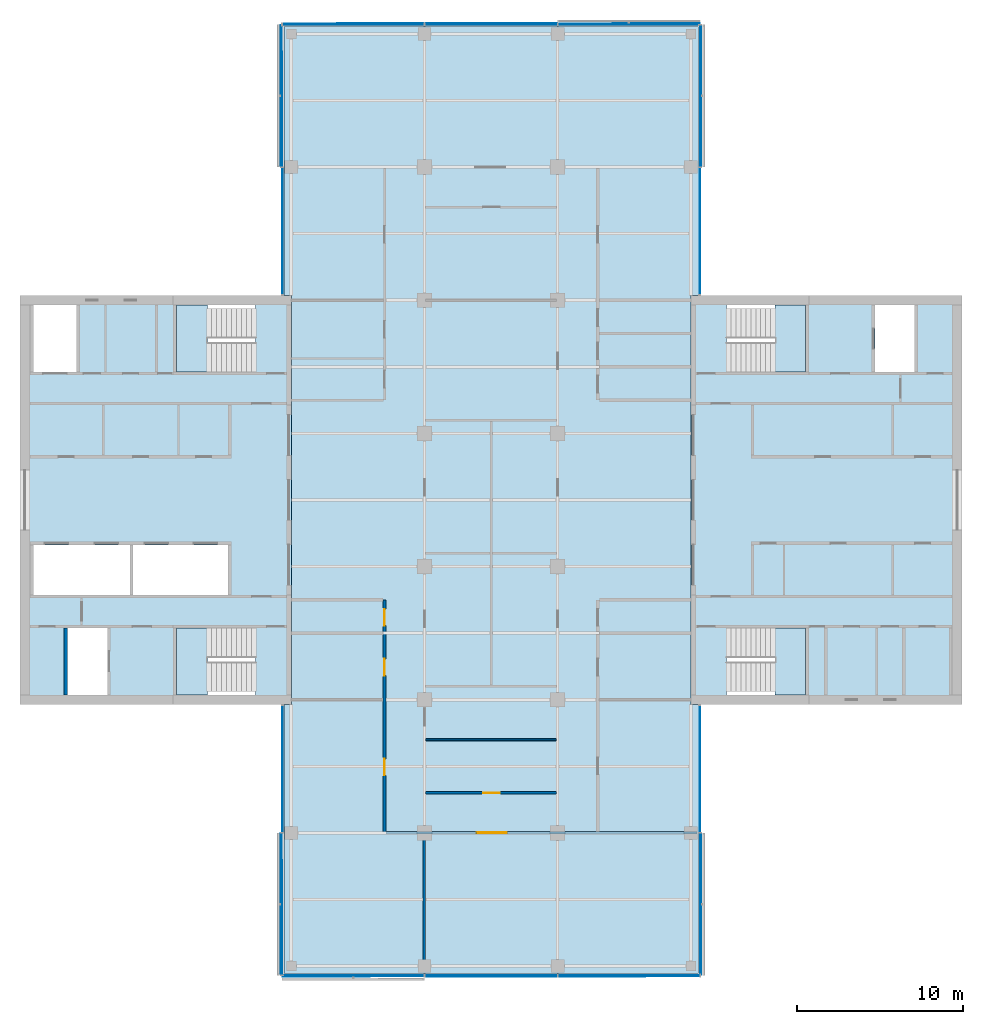
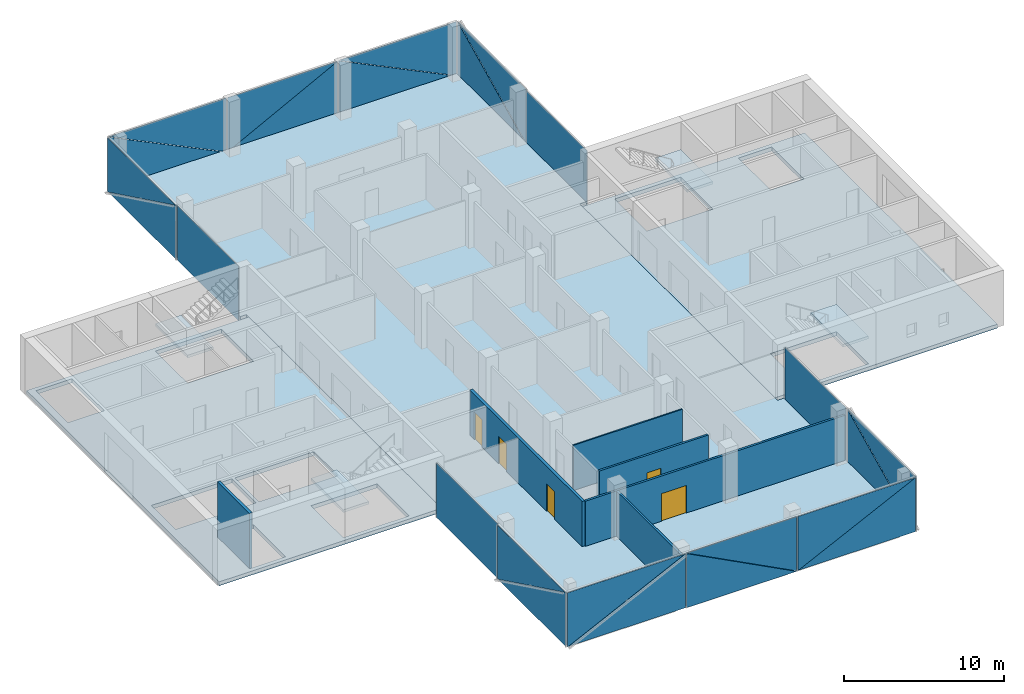
# One storey, part 8 of 16: 24 plates, 7 slabs, 6 walls, 5 doors, 5 openings, 14 elements without a shape of their own.
"""IFC4 building model written with IfcOpenShell, lengths in metres."""

from ifc_helpers import new_model, si_unit, direction, frame, frame_2d, origin, place, context, subcontext, project, spatial, polyline, rectangle, outline, extrude, material, layer, layer_set, type_object, element, fill, aggregate, save


model = new_model("IFC4")

# Units and contexts
model_context = context("Model", 3, precision=1e-05, world=origin(), true_north=direction((0.0, 1.0)))
body_context = subcontext(model_context, "Body", "Model", "MODEL_VIEW")
ifc_project = project(units=[si_unit("LENGTHUNIT", "METRE"), si_unit("AREAUNIT", "SQUARE_METRE"), si_unit("VOLUMEUNIT", "CUBIC_METRE"), si_unit("PLANEANGLEUNIT", "RADIAN"), si_unit("MASSUNIT", "GRAM", prefix="KILO")], contexts=[model_context])

# Site, building, storey
site_placement = place(None, origin())
site = spatial("IfcSite", under=ifc_project, at=site_placement, CompositionType="ELEMENT")
building_placement = place(site_placement, origin())
building = spatial("IfcBuilding", under=site, at=building_placement, Name="Crosswind Convention Tower", CompositionType="ELEMENT")
storey_placement = place(building_placement, frame((0.0, 0.0, 212.5)))
storey = spatial("IfcBuildingStorey", under=building, at=storey_placement, Name="L45", CompositionType="ELEMENT", Elevation=212.5)

# Slabs
ifc_material_1 = material(Name="Concrete C40/50", Category="concrete")
ifc_layer_1 = layer(ifc_material_1, 0.300048828125)
ifc_layer_set_1 = layer_set([ifc_layer_1], Name="Concrete C40/50")
slab_type_1 = type_object("IfcSlabType", Name="Composite floor slab 300", PredefinedType="FLOOR", material=ifc_layer_set_1)
slab_1_placement = place(storey_placement, frame((0.0, 0.0, -0.300048828125)))
element("IfcSlab", 1, at=slab_1_placement, inside=storey, type_object=slab_type_1, Name="Floor slab L45", PredefinedType="FLOOR", context=body_context, shape_type="SweptSolid", body=[
    extrude(outline(polyline([(137.449951171875, 71.550048828125), (137.0, 71.550048828125), (113.0, 71.550048828125), (112.550048828125, 71.550048828125), (112.550048828125, 72.0), (112.550048828125, 87.699951171875), (113.0, 87.699951171875), (113.0, 112.300048828125), (112.550048828125, 112.300048828125), (112.550048828125, 128.0), (112.550048828125, 128.449951171875), (113.0, 128.449951171875), (137.0, 128.449951171875), (137.449951171875, 128.449951171875), (137.449951171875, 128.0), (137.449951171875, 112.300048828125), (137.0, 112.300048828125), (137.0, 87.699951171875), (137.449951171875, 87.699951171875), (137.449951171875, 72.0), (137.449951171875, 71.550048828125)])), origin(), (0.0, 0.0, 1.0), 0.300048828125),
])
ifc_layer_2 = layer(ifc_material_1, 0.300048828125)
ifc_layer_set_2 = layer_set([ifc_layer_2], Name="Concrete C40/50")
slab_type_2 = type_object("IfcSlabType", Name="Concrete core floor slab 300", PredefinedType="FLOOR", material=ifc_layer_set_2)
slab_2_placement = place(storey_placement, frame((0.0, 0.0, -0.300048828125)))
element("IfcSlab", 2, at=slab_2_placement, inside=storey, type_object=slab_type_2, Name="Core floor slab E L45", PredefinedType="FLOOR", context=body_context, shape_type="SweptSolid", body=[
    extrude(outline(polyline([(137.0, 88.0), (153.0, 88.0), (153.0, 112.0), (137.0, 112.0), (137.0, 88.0)]), holes=[polyline([(150.449951171875, 107.699951171875), (150.449951171875, 111.699951171875), (148.050048828125, 111.699951171875), (148.050048828125, 107.699951171875), (150.449951171875, 107.699951171875)]), polyline([(143.89990234375, 107.699951171875), (143.89990234375, 111.699951171875), (139.14990234375, 111.699951171875), (139.14990234375, 107.699951171875), (143.89990234375, 107.699951171875)]), polyline([(143.89990234375, 88.300048828125), (143.89990234375, 92.300048828125), (139.14990234375, 92.300048828125), (139.14990234375, 88.300048828125), (143.89990234375, 88.300048828125)])]), origin(), (0.0, 0.0, 1.0), 0.300048828125),
])
slab_3_placement = place(storey_placement, frame((0.0, 0.0, -0.300048828125)))
element("IfcSlab", 3, at=slab_3_placement, inside=storey, type_object=slab_type_2, Name="Core floor slab W L45", PredefinedType="FLOOR", context=body_context, shape_type="SweptSolid", body=[
    extrude(outline(polyline([(97.0, 88.0), (113.0, 88.0), (113.0, 112.0), (97.0, 112.0), (97.0, 88.0)]), holes=[polyline([(109.199951171875, 94.300048828125), (109.199951171875, 97.300048828125), (103.5, 97.300048828125), (103.5, 94.300048828125), (109.199951171875, 94.300048828125)]), polyline([(103.300048828125, 94.300048828125), (103.300048828125, 97.300048828125), (97.5, 97.300048828125), (97.5, 94.300048828125), (103.300048828125, 94.300048828125)]), polyline([(101.949951171875, 88.300048828125), (101.949951171875, 92.300048828125), (99.550048828125, 92.300048828125), (99.550048828125, 88.300048828125), (101.949951171875, 88.300048828125)]), polyline([(100.10009765625, 107.699951171875), (100.10009765625, 111.699951171875), (97.5, 111.699951171875), (97.5, 107.699951171875), (100.10009765625, 107.699951171875)]), polyline([(110.85009765625, 88.300048828125), (110.85009765625, 92.300048828125), (106.10009765625, 92.300048828125), (106.10009765625, 88.300048828125), (110.85009765625, 88.300048828125)]), polyline([(110.85009765625, 107.699951171875), (110.85009765625, 111.699951171875), (106.10009765625, 111.699951171875), (106.10009765625, 107.699951171875), (110.85009765625, 107.699951171875)])]), origin(), (0.0, 0.0, 1.0), 0.300048828125),
])

# Stair, slab
stair_type = type_object("IfcStairType", Name="Exit stair 1800 wide, 2 flights of 11 risers", PredefinedType="HALF_TURN_STAIR", material=ifc_material_1)
stair_1_placement = place(storey_placement, origin())
stair_1 = element("IfcStair", 4, at=stair_1_placement, inside=storey, type_object=stair_type, Name="Exit stair ST1 L45", ObjectType="ST5", PredefinedType="HALF_TURN_STAIR")
ifc_layer_3 = layer(ifc_material_1, 0.199951171875)
ifc_layer_set_3 = layer_set([ifc_layer_3], Name="Concrete C40/50")
slab_type_3 = type_object("IfcSlabType", Name="Stair landing 200", PredefinedType="LANDING", material=ifc_layer_set_3)
slab_4_placement = place(storey_placement, frame((0.0, 0.0, 1.89990234375)))
slab_4 = element("IfcSlab", 5, at=slab_4_placement, type_object=slab_type_3, Name="ST1 landing 1", PredefinedType="LANDING", context=body_context, shape_type="SweptSolid", body=[
    extrude(outline(polyline([(143.89990234375, 107.699951171875), (143.89990234375, 111.699951171875), (142.050048828125, 111.699951171875), (142.050048828125, 107.699951171875), (143.89990234375, 107.699951171875)])), origin(), (0.0, 0.0, 1.0), 0.2001953125),
])
aggregate(stair_1, [slab_4])

stair_2_placement = place(storey_placement, origin())
stair_2 = element("IfcStair", 6, at=stair_2_placement, inside=storey, type_object=stair_type, Name="Exit stair ST2 L45", ObjectType="ST5", PredefinedType="HALF_TURN_STAIR")
slab_5_placement = place(storey_placement, frame((0.0, 0.0, 1.89990234375)))
slab_5 = element("IfcSlab", 7, at=slab_5_placement, type_object=slab_type_3, Name="ST2 landing 1", PredefinedType="LANDING", context=body_context, shape_type="SweptSolid", body=[
    extrude(outline(polyline([(143.89990234375, 88.300048828125), (143.89990234375, 92.300048828125), (142.050048828125, 92.300048828125), (142.050048828125, 88.300048828125), (143.89990234375, 88.300048828125)])), origin(), (0.0, 0.0, 1.0), 0.2001953125),
])
aggregate(stair_2, [slab_5])

stair_3_placement = place(storey_placement, origin())
stair_3 = element("IfcStair", 8, at=stair_3_placement, inside=storey, type_object=stair_type, Name="Exit stair ST3 L45", ObjectType="ST5", PredefinedType="HALF_TURN_STAIR")
slab_6_placement = place(storey_placement, frame((0.0, 0.0, 1.89990234375)))
slab_6 = element("IfcSlab", 9, at=slab_6_placement, type_object=slab_type_3, Name="ST3 landing 1", PredefinedType="LANDING", context=body_context, shape_type="SweptSolid", body=[
    extrude(outline(polyline([(107.949951171875, 88.300048828125), (107.949951171875, 92.300048828125), (106.10009765625, 92.300048828125), (106.10009765625, 88.300048828125), (107.949951171875, 88.300048828125)])), origin(), (0.0, 0.0, 1.0), 0.2001953125),
])
aggregate(stair_3, [slab_6])

stair_4_placement = place(storey_placement, origin())
stair_4 = element("IfcStair", 10, at=stair_4_placement, inside=storey, type_object=stair_type, Name="Exit stair ST4 L45", ObjectType="ST5", PredefinedType="HALF_TURN_STAIR")
slab_7_placement = place(storey_placement, frame((0.0, 0.0, 1.89990234375)))
slab_7 = element("IfcSlab", 11, at=slab_7_placement, type_object=slab_type_3, Name="ST4 landing 1", PredefinedType="LANDING", context=body_context, shape_type="SweptSolid", body=[
    extrude(outline(polyline([(107.949951171875, 107.699951171875), (107.949951171875, 111.699951171875), (106.10009765625, 111.699951171875), (106.10009765625, 107.699951171875), (107.949951171875, 107.699951171875)])), origin(), (0.0, 0.0, 1.0), 0.2001953125),
])
aggregate(stair_4, [slab_7])

# Curtain wall, plate
ifc_material_2 = material(Name="Aluminium unitised curtain wall", Category="aluminium")
curtain_wall_type_1 = type_object("IfcCurtainWallType", Name="CORE END SLOT WALL 160", PredefinedType="USERDEFINED", material=ifc_material_2)
curtain_wall_1_placement = place(storey_placement, origin())
curtain_wall_1 = element("IfcCurtainWall", 12, at=curtain_wall_1_placement, inside=storey, type_object=curtain_wall_type_1, Name="CW6 L45 N-E.1-1 slot", ObjectType="UNITISED", PredefinedType="USERDEFINED")
ifc_material_3 = material(Name="Laminated insulating glass unit", Category="glass")
ifc_layer_4 = layer(ifc_material_3, 0.02587890625)
ifc_layer_set_4 = layer_set([ifc_layer_4], Name="TRIANGULAR GLASS PANEL 26")
plate_type_1 = type_object("IfcPlateType", Name="TRIANGULAR GLASS PANEL 26", PredefinedType="CURTAIN_PANEL", material=ifc_layer_set_4)
plate_1_placement = place(storey_placement, frame((137.556884765625, 112.35009765625, -0.300048828125), z_axis=(0.999999915215, 0.0, 0.000411788894), x_axis=(0.0, 1.0, 0.0)))
plate_1 = element("IfcPlate", 13, at=plate_1_placement, type_object=plate_type_1, Name="CW6 panel 1.1", PredefinedType="CURTAIN_PANEL", context=body_context, shape_type="SweptSolid", body=[
    extrude(outline(polyline([(0.0, 0.0), (7.599853515625, 0.0), (7.599853515625, 4.150146836245408), (0.0, 4.150146836245408), (0.0, 0.0)])), origin(), (0.0, 0.0, -1.0), 0.02587890625),
])
aggregate(curtain_wall_1, [plate_1])

curtain_wall_2_placement = place(storey_placement, origin())
curtain_wall_2 = element("IfcCurtainWall", 14, at=curtain_wall_2_placement, inside=storey, type_object=curtain_wall_type_1, Name="CW6 L45 N-W.1-2 slot", ObjectType="UNITISED", PredefinedType="USERDEFINED")
plate_2_placement = place(storey_placement, frame((112.443115234375, 119.949951171875, -0.300048828125), z_axis=(-0.999999915215, 0.0, 0.000411788894), x_axis=(0.0, -1.0, 0.0)))
plate_2 = element("IfcPlate", 15, at=plate_2_placement, type_object=plate_type_1, Name="CW6 panel 1.1", PredefinedType="CURTAIN_PANEL", context=body_context, shape_type="SweptSolid", body=[
    extrude(outline(polyline([(0.0, 0.0), (7.599853515625, 0.0), (7.599853515625, 4.150146836245408), (0.0, 4.150146836245408), (0.0, 0.0)])), origin(), (0.0, 0.0, -1.0), 0.02587890625),
])
aggregate(curtain_wall_2, [plate_2])

curtain_wall_3_placement = place(storey_placement, origin())
curtain_wall_3 = element("IfcCurtainWall", 16, at=curtain_wall_3_placement, inside=storey, type_object=curtain_wall_type_1, Name="CW6 L45 S-W.1-1 slot", ObjectType="UNITISED", PredefinedType="USERDEFINED")
plate_3_placement = place(storey_placement, frame((112.443115234375, 87.64990234375, -0.300048828125), z_axis=(-0.999999915215, 0.0, 0.000411788894), x_axis=(0.0, -1.0, 0.0)))
plate_3 = element("IfcPlate", 17, at=plate_3_placement, type_object=plate_type_1, Name="CW6 panel 1.1", PredefinedType="CURTAIN_PANEL", context=body_context, shape_type="SweptSolid", body=[
    extrude(outline(polyline([(0.0, 0.0), (7.599853515625, 0.0), (7.599853515625, 4.150146836245408), (0.0, 4.150146836245408), (0.0, 0.0)])), origin(), (0.0, 0.0, -1.0), 0.02587890625),
])
aggregate(curtain_wall_3, [plate_3])

curtain_wall_4_placement = place(storey_placement, origin())
curtain_wall_4 = element("IfcCurtainWall", 18, at=curtain_wall_4_placement, inside=storey, type_object=curtain_wall_type_1, Name="CW6 L45 S-E.1-2 slot", ObjectType="UNITISED", PredefinedType="USERDEFINED")
plate_4_placement = place(storey_placement, frame((137.556884765625, 80.050048828125, -0.300048828125), z_axis=(0.999999915215, 0.0, 0.000411788894), x_axis=(0.0, 1.0, 0.0)))
plate_4 = element("IfcPlate", 19, at=plate_4_placement, type_object=plate_type_1, Name="CW6 panel 1.1", PredefinedType="CURTAIN_PANEL", context=body_context, shape_type="SweptSolid", body=[
    extrude(outline(polyline([(0.0, 0.0), (7.599853515625, 0.0), (7.599853515625, 4.150146836245408), (0.0, 4.150146836245408), (0.0, 0.0)])), origin(), (0.0, 0.0, -1.0), 0.02587890625),
])
aggregate(curtain_wall_4, [plate_4])

# Curtain wall, plates
curtain_wall_type_2 = type_object("IfcCurtainWallType", Name="OFFICE UNITISED WALL 220", PredefinedType="USERDEFINED", material=ifc_material_2)
curtain_wall_5_placement = place(storey_placement, origin())
curtain_wall_5 = element("IfcCurtainWall", 20, at=curtain_wall_5_placement, inside=storey, type_object=curtain_wall_type_2, Name="CW3 L45 N-E 1", ObjectType="UNITISED", PredefinedType="USERDEFINED")
ifc_layer_5 = layer(ifc_material_3, 0.031982421875)
ifc_layer_set_5 = layer_set([ifc_layer_5], Name="TRIANGULAR GLASS PANEL 32")
plate_type_2 = type_object("IfcPlateType", Name="TRIANGULAR GLASS PANEL 32", PredefinedType="CURTAIN_PANEL", material=ifc_layer_set_5)
plate_5_placement = place(storey_placement, frame((137.5927734375, 128.52490234375, -0.300048828125), z_axis=(0.999999913924, 0.0, 0.000414913129), x_axis=(-0.000414913129, 0.0, 0.999999913924)))
plate_5 = element("IfcPlate", 21, at=plate_5_placement, type_object=plate_type_2, Name="CW3 panel 1.1", PredefinedType="CURTAIN_PANEL", context=body_context, shape_type="SweptSolid", body=[
    extrude(outline(polyline([(0.0, 0.0), (4.118896838915043, 0.0), (0.0, 8.467041015624998), (0.0, 0.0)])), origin(), (0.0, 0.0, -1.0), 0.031982421875),
])
plate_6_placement = place(storey_placement, frame((137.625244140625, 120.034912109375, 3.830078125), z_axis=(0.99999993676, 0.0, 0.000355639833), x_axis=(0.000355639833, 0.0, -0.99999993676)))
plate_6 = element("IfcPlate", 22, at=plate_6_placement, type_object=plate_type_2, Name="CW3 panel 1.2", PredefinedType="CURTAIN_PANEL", context=body_context, shape_type="SweptSolid", body=[
    extrude(outline(polyline([(0.0, 0.0), (4.1188967448534015, 0.0), (0.0, 8.46728515625), (0.0, 0.0)])), origin(), (0.0, 0.0, -1.0), 0.031982421875),
])
aggregate(curtain_wall_5, [plate_5, plate_6])

curtain_wall_6_placement = place(storey_placement, origin())
curtain_wall_6 = element("IfcCurtainWall", 23, at=curtain_wall_6_placement, inside=storey, type_object=curtain_wall_type_2, Name="CW3 L45 N-TIP 1", ObjectType="UNITISED", PredefinedType="USERDEFINED")
plate_7_placement = place(storey_placement, frame((129.034912109375, 128.5927734375, -0.300048828125), z_axis=(0.0, 0.999999913924, 0.000414913129), x_axis=(0.0, -0.000414913129, 0.999999913924)))
plate_7 = element("IfcPlate", 24, at=plate_7_placement, type_object=plate_type_2, Name="CW3 panel 1.1", PredefinedType="CURTAIN_PANEL", context=body_context, shape_type="SweptSolid", body=[
    extrude(outline(polyline([(0.0, 0.0), (4.118896838915043, 0.0), (0.0, 8.467285156249998), (0.0, 0.0)])), origin(), (0.0, 0.0, -1.0), 0.031982421875),
])
plate_8_placement = place(storey_placement, frame((137.52490234375, 128.625244140625, 3.830078125), z_axis=(0.0, 0.99999993676, 0.000355639833), x_axis=(0.0, 0.000355639833, -0.99999993676)))
plate_8 = element("IfcPlate", 25, at=plate_8_placement, type_object=plate_type_2, Name="CW3 panel 1.2", PredefinedType="CURTAIN_PANEL", context=body_context, shape_type="SweptSolid", body=[
    extrude(outline(polyline([(0.0, 0.0), (4.1188967448534015, 0.0), (0.0, 8.467041015625), (0.0, 0.0)])), origin(), (0.0, 0.0, -1.0), 0.031982421875),
])
plate_9_placement = place(storey_placement, frame((121.034912109375, 128.591064453125, 3.830078125), z_axis=(0.0, 0.999999913924, 0.000414913129), x_axis=(1.0, 0.0, 0.0)))
plate_9 = element("IfcPlate", 26, at=plate_9_placement, type_object=plate_type_2, Name="CW3 panel 2.1", PredefinedType="CURTAIN_PANEL", context=body_context, shape_type="SweptSolid", body=[
    extrude(outline(polyline([(0.0, 0.0), (7.908447265625, 0.0), (0.0, 4.118896838915043), (0.0, 0.0)])), origin(), (0.0, 0.0, -1.0), 0.031982421875),
])
plate_10_placement = place(storey_placement, frame((128.965087890625, 128.626708984375, -0.300048828125), z_axis=(0.0, 0.999999936753, 0.000355660914), x_axis=(-1.0, 0.0, 0.0)))
plate_10 = element("IfcPlate", 27, at=plate_10_placement, type_object=plate_type_2, Name="CW3 panel 2.2", PredefinedType="CURTAIN_PANEL", context=body_context, shape_type="SweptSolid", body=[
    extrude(outline(polyline([(0.0, 0.0), (7.908447265625, 0.0), (0.0, 4.118652604243842), (0.0, 0.0)])), origin(), (0.0, 0.0, -1.0), 0.031982421875),
])
plate_11_placement = place(storey_placement, frame((112.47509765625, 128.5927734375, -0.300048828125), z_axis=(0.0, 0.999999913924, 0.000414913129), x_axis=(0.0, -0.000414913129, 0.999999913924)))
plate_11 = element("IfcPlate", 28, at=plate_11_placement, type_object=plate_type_2, Name="CW3 panel 3.1", PredefinedType="CURTAIN_PANEL", context=body_context, shape_type="SweptSolid", body=[
    extrude(outline(polyline([(0.0, 0.0), (4.118896838915043, 0.0), (0.0, 8.467041015624998), (0.0, 0.0)])), origin(), (0.0, 0.0, -1.0), 0.031982421875),
])
plate_12_placement = place(storey_placement, frame((120.965087890625, 128.625244140625, 3.830078125), z_axis=(0.0, 0.99999993676, 0.000355639833), x_axis=(0.0, 0.000355639833, -0.99999993676)))
plate_12 = element("IfcPlate", 29, at=plate_12_placement, type_object=plate_type_2, Name="CW3 panel 3.2", PredefinedType="CURTAIN_PANEL", context=body_context, shape_type="SweptSolid", body=[
    extrude(outline(polyline([(0.0, 0.0), (4.1188967448534015, 0.0), (0.0, 8.46728515625), (0.0, 0.0)])), origin(), (0.0, 0.0, -1.0), 0.031982421875),
])
aggregate(curtain_wall_6, [plate_7, plate_8, plate_9, plate_10, plate_11, plate_12])

curtain_wall_7_placement = place(storey_placement, origin())
curtain_wall_7 = element("IfcCurtainWall", 30, at=curtain_wall_7_placement, inside=storey, type_object=curtain_wall_type_2, Name="CW3 L45 N-W 1", ObjectType="UNITISED", PredefinedType="USERDEFINED")
plate_13_placement = place(storey_placement, frame((112.4072265625, 120.034912109375, -0.300048828125), z_axis=(-0.999999913924, 0.0, 0.000414913129), x_axis=(0.000414913129, 0.0, 0.999999913924)))
plate_13 = element("IfcPlate", 31, at=plate_13_placement, type_object=plate_type_2, Name="CW3 panel 1.1", PredefinedType="CURTAIN_PANEL", context=body_context, shape_type="SweptSolid", body=[
    extrude(outline(polyline([(0.0, 0.0), (4.118896838915043, 0.0), (0.0, 8.467285156249998), (0.0, 0.0)])), origin(), (0.0, 0.0, -1.0), 0.031982421875),
])
plate_14_placement = place(storey_placement, frame((112.374755859375, 128.52490234375, 3.830078125), z_axis=(-0.99999993676, 0.0, 0.000355639833), x_axis=(-0.000355639833, 0.0, -0.99999993676)))
plate_14 = element("IfcPlate", 32, at=plate_14_placement, type_object=plate_type_2, Name="CW3 panel 1.2", PredefinedType="CURTAIN_PANEL", context=body_context, shape_type="SweptSolid", body=[
    extrude(outline(polyline([(0.0, 0.0), (4.1188967448534015, 0.0), (0.0, 8.467041015625), (0.0, 0.0)])), origin(), (0.0, 0.0, -1.0), 0.031982421875),
])
aggregate(curtain_wall_7, [plate_13, plate_14])

curtain_wall_8_placement = place(storey_placement, origin())
curtain_wall_8 = element("IfcCurtainWall", 33, at=curtain_wall_8_placement, inside=storey, type_object=curtain_wall_type_2, Name="CW3 L45 S-W 1", ObjectType="UNITISED", PredefinedType="USERDEFINED")
plate_15_placement = place(storey_placement, frame((112.4072265625, 71.47509765625, -0.300048828125), z_axis=(-0.999999913924, 0.0, 0.000414913129), x_axis=(0.000414913129, 0.0, 0.999999913924)))
plate_15 = element("IfcPlate", 34, at=plate_15_placement, type_object=plate_type_2, Name="CW3 panel 1.1", PredefinedType="CURTAIN_PANEL", context=body_context, shape_type="SweptSolid", body=[
    extrude(outline(polyline([(0.0, 0.0), (4.118896838915043, 0.0), (0.0, 8.467041015624998), (0.0, 0.0)])), origin(), (0.0, 0.0, -1.0), 0.031982421875),
])
plate_16_placement = place(storey_placement, frame((112.374755859375, 79.965087890625, 3.830078125), z_axis=(-0.99999993676, 0.0, 0.000355639833), x_axis=(-0.000355639833, 0.0, -0.99999993676)))
plate_16 = element("IfcPlate", 35, at=plate_16_placement, type_object=plate_type_2, Name="CW3 panel 1.2", PredefinedType="CURTAIN_PANEL", context=body_context, shape_type="SweptSolid", body=[
    extrude(outline(polyline([(0.0, 0.0), (4.1188967448534015, 0.0), (0.0, 8.46728515625), (0.0, 0.0)])), origin(), (0.0, 0.0, -1.0), 0.031982421875),
])
aggregate(curtain_wall_8, [plate_15, plate_16])

curtain_wall_9_placement = place(storey_placement, origin())
curtain_wall_9 = element("IfcCurtainWall", 36, at=curtain_wall_9_placement, inside=storey, type_object=curtain_wall_type_2, Name="CW3 L45 S-TIP 1", ObjectType="UNITISED", PredefinedType="USERDEFINED")
plate_17_placement = place(storey_placement, frame((120.965087890625, 71.4072265625, -0.300048828125), z_axis=(0.0, -0.999999913924, 0.000414913129), x_axis=(0.0, 0.000414913129, 0.999999913924)))
plate_17 = element("IfcPlate", 37, at=plate_17_placement, type_object=plate_type_2, Name="CW3 panel 1.1", PredefinedType="CURTAIN_PANEL", context=body_context, shape_type="SweptSolid", body=[
    extrude(outline(polyline([(0.0, 0.0), (4.118896838915043, 0.0), (0.0, 8.467285156249998), (0.0, 0.0)])), origin(), (0.0, 0.0, -1.0), 0.031982421875),
])
plate_18_placement = place(storey_placement, frame((112.47509765625, 71.374755859375, 3.830078125), z_axis=(0.0, -0.99999993676, 0.000355639833), x_axis=(0.0, -0.000355639833, -0.99999993676)))
plate_18 = element("IfcPlate", 38, at=plate_18_placement, type_object=plate_type_2, Name="CW3 panel 1.2", PredefinedType="CURTAIN_PANEL", context=body_context, shape_type="SweptSolid", body=[
    extrude(outline(polyline([(0.0, 0.0), (4.1188967448534015, 0.0), (0.0, 8.467041015625), (0.0, 0.0)])), origin(), (0.0, 0.0, -1.0), 0.031982421875),
])
plate_19_placement = place(storey_placement, frame((128.965087890625, 71.408935546875, 3.830078125), z_axis=(0.0, -0.999999913924, 0.000414913129), x_axis=(-1.0, 0.0, 0.0)))
plate_19 = element("IfcPlate", 39, at=plate_19_placement, type_object=plate_type_2, Name="CW3 panel 2.1", PredefinedType="CURTAIN_PANEL", context=body_context, shape_type="SweptSolid", body=[
    extrude(outline(polyline([(0.0, 0.0), (7.908447265625, 0.0), (0.0, 4.118896838915043), (0.0, 0.0)])), origin(), (0.0, 0.0, -1.0), 0.031982421875),
])
plate_20_placement = place(storey_placement, frame((121.034912109375, 71.373291015625, -0.300048828125), z_axis=(0.0, -0.999999936753, 0.000355660914), x_axis=(1.0, 0.0, 0.0)))
plate_20 = element("IfcPlate", 40, at=plate_20_placement, type_object=plate_type_2, Name="CW3 panel 2.2", PredefinedType="CURTAIN_PANEL", context=body_context, shape_type="SweptSolid", body=[
    extrude(outline(polyline([(0.0, 0.0), (7.908447265625, 0.0), (0.0, 4.118652604243842), (0.0, 0.0)])), origin(), (0.0, 0.0, -1.0), 0.031982421875),
])
plate_21_placement = place(storey_placement, frame((137.52490234375, 71.4072265625, -0.300048828125), z_axis=(0.0, -0.999999913924, 0.000414913129), x_axis=(0.0, 0.000414913129, 0.999999913924)))
plate_21 = element("IfcPlate", 41, at=plate_21_placement, type_object=plate_type_2, Name="CW3 panel 3.1", PredefinedType="CURTAIN_PANEL", context=body_context, shape_type="SweptSolid", body=[
    extrude(outline(polyline([(0.0, 0.0), (4.118896838915043, 0.0), (0.0, 8.467041015624998), (0.0, 0.0)])), origin(), (0.0, 0.0, -1.0), 0.031982421875),
])
plate_22_placement = place(storey_placement, frame((129.034912109375, 71.374755859375, 3.830078125), z_axis=(0.0, -0.99999993676, 0.000355639833), x_axis=(0.0, -0.000355639833, -0.99999993676)))
plate_22 = element("IfcPlate", 42, at=plate_22_placement, type_object=plate_type_2, Name="CW3 panel 3.2", PredefinedType="CURTAIN_PANEL", context=body_context, shape_type="SweptSolid", body=[
    extrude(outline(polyline([(0.0, 0.0), (4.1188967448534015, 0.0), (0.0, 8.46728515625), (0.0, 0.0)])), origin(), (0.0, 0.0, -1.0), 0.031982421875),
])
aggregate(curtain_wall_9, [plate_17, plate_18, plate_19, plate_20, plate_21, plate_22])

curtain_wall_10_placement = place(storey_placement, origin())
curtain_wall_10 = element("IfcCurtainWall", 43, at=curtain_wall_10_placement, inside=storey, type_object=curtain_wall_type_2, Name="CW3 L45 S-E 1", ObjectType="UNITISED", PredefinedType="USERDEFINED")
plate_23_placement = place(storey_placement, frame((137.5927734375, 79.965087890625, -0.300048828125), z_axis=(0.999999913924, 0.0, 0.000414913129), x_axis=(-0.000414913129, 0.0, 0.999999913924)))
plate_23 = element("IfcPlate", 44, at=plate_23_placement, type_object=plate_type_2, Name="CW3 panel 1.1", PredefinedType="CURTAIN_PANEL", context=body_context, shape_type="SweptSolid", body=[
    extrude(outline(polyline([(0.0, 0.0), (4.118896838915043, 0.0), (0.0, 8.467285156249998), (0.0, 0.0)])), origin(), (0.0, 0.0, -1.0), 0.031982421875),
])
plate_24_placement = place(storey_placement, frame((137.625244140625, 71.47509765625, 3.830078125), z_axis=(0.99999993676, 0.0, 0.000355639833), x_axis=(0.000355639833, 0.0, -0.99999993676)))
plate_24 = element("IfcPlate", 45, at=plate_24_placement, type_object=plate_type_2, Name="CW3 panel 1.2", PredefinedType="CURTAIN_PANEL", context=body_context, shape_type="SweptSolid", body=[
    extrude(outline(polyline([(0.0, 0.0), (4.1188967448534015, 0.0), (0.0, 8.467041015625), (0.0, 0.0)])), origin(), (0.0, 0.0, -1.0), 0.031982421875),
])
aggregate(curtain_wall_10, [plate_23, plate_24])

# Wall, openings, doors
ifc_material_4 = material(Name="Concrete blockwork", Category="masonry")
ifc_layer_6 = layer(ifc_material_4, 0.199951171875)
ifc_layer_set_6 = layer_set([ifc_layer_6], Name="COMPARTMENT WALL 200 BLOCKWORK")
wall_type_1 = type_object("IfcWallType", Name="COMPARTMENT WALL 200 BLOCKWORK", PredefinedType="SOLIDWALL", material=ifc_layer_set_6)
wall_1_placement = place(storey_placement, frame((118.60009765625, 80.0, 0.0), z_axis=(0.0, 0.0, 1.0), x_axis=(0.0, 1.0, 0.0)))
wall_1 = element("IfcWall", 46, at=wall_1_placement, inside=storey, type_object=wall_type_1, Name="Compartment wall WT42", PredefinedType="SOLIDWALL", context=body_context, shape_type="SweptSolid", body=[
    extrude(rectangle(XDim=14.0, YDim=0.199951171875, at=frame_2d((7.0, 0.0))), origin(), (0.0, 0.0, 1.0), 3.439697265625),
])
opening_1_placement = place(wall_1_placement, frame((12.449951171875, 0.0, 0.0)))
opening_1 = element("IfcOpeningElement", 47, at=opening_1_placement, cuts=wall_1, Name="Opening L45-60", PredefinedType="OPENING", context=body_context, shape_type="SweptSolid", body=[
    extrude(rectangle(XDim=1.0, YDim=2.10009765625, at=frame_2d((0.5, 1.050048828125))), frame((0.0, 0.10986328125, 0.0), z_axis=(0.0, -1.0, 0.0), x_axis=(1.0, 0.0, 0.0)), (0.0, 0.0, 1.0), 0.219970703125),
])
opening_2_placement = place(wall_1_placement, frame((9.449951171875, 0.0, 0.0)))
opening_2 = element("IfcOpeningElement", 48, at=opening_2_placement, cuts=wall_1, Name="Opening L45-61", PredefinedType="OPENING", context=body_context, shape_type="SweptSolid", body=[
    extrude(rectangle(XDim=1.0, YDim=2.10009765625, at=frame_2d((0.5, 1.050048828125))), frame((0.0, 0.10986328125, 0.0), z_axis=(0.0, -1.0, 0.0), x_axis=(1.0, 0.0, 0.0)), (0.0, 0.0, 1.0), 0.219970703125),
])
opening_3_placement = place(wall_1_placement, frame((3.449951171875, 0.0, 0.0)))
opening_3 = element("IfcOpeningElement", 49, at=opening_3_placement, cuts=wall_1, Name="Opening L45-62", PredefinedType="OPENING", context=body_context, shape_type="SweptSolid", body=[
    extrude(rectangle(XDim=1.0, YDim=2.10009765625, at=frame_2d((0.5, 1.050048828125))), frame((0.0, 0.10986328125, 0.0), z_axis=(0.0, -1.0, 0.0), x_axis=(1.0, 0.0, 0.0)), (0.0, 0.0, 1.0), 0.219970703125),
])
ifc_material_5 = material(Name="Steel fire door", Category="steel")
door_type_1 = type_object("IfcDoorType", Name="PLANT ROOM DOOR 1000X2100 FD60", OperationType="NOTDEFINED", PredefinedType="DOOR", material=ifc_material_5)
door_1_placement = place(opening_1_placement, origin())
door_1 = element("IfcDoor", 50, at=door_1_placement, inside=storey, type_object=door_type_1, Name="Door L45-60", ObjectType="D43", OperationType="SINGLE_SWING_LEFT", OverallHeight=2.10009765625, OverallWidth=1.0, PredefinedType="DOOR", context=body_context, shape_type="SweptSolid", body=[
    extrude(rectangle(XDim=1.0, YDim=2.10009765625, at=frame_2d((0.5, 1.050048828125))), frame((0.0, 0.02490234375, 0.0), z_axis=(0.0, -1.0, 0.0), x_axis=(1.0, 0.0, 0.0)), (0.0, 0.0, 1.0), 0.050048828125),
])
fill(opening_1, door_1)
ifc_material_6 = material(Name="Timber fire door", Category="wood")
door_type_2 = type_object("IfcDoorType", Name="TENANCY ENTRANCE DOOR 1000X2100 FD30S", OperationType="NOTDEFINED", PredefinedType="DOOR", material=ifc_material_6)
door_2_placement = place(opening_2_placement, origin())
door_2 = element("IfcDoor", 51, at=door_2_placement, inside=storey, type_object=door_type_2, Name="Door L45-61", ObjectType="D41", OperationType="SINGLE_SWING_RIGHT", OverallHeight=2.10009765625, OverallWidth=1.0, PredefinedType="DOOR", context=body_context, shape_type="SweptSolid", body=[
    extrude(rectangle(XDim=1.0, YDim=2.10009765625, at=frame_2d((0.5, 1.050048828125))), frame((0.0, 0.02490234375, 0.0), z_axis=(0.0, -1.0, 0.0), x_axis=(1.0, 0.0, 0.0)), (0.0, 0.0, 1.0), 0.050048828125),
])
fill(opening_2, door_2)
door_3_placement = place(opening_3_placement, origin())
door_3 = element("IfcDoor", 52, at=door_3_placement, inside=storey, type_object=door_type_2, Name="Door L45-62", ObjectType="D41", OperationType="SINGLE_SWING_RIGHT", OverallHeight=2.10009765625, OverallWidth=1.0, PredefinedType="DOOR", context=body_context, shape_type="SweptSolid", body=[
    extrude(rectangle(XDim=1.0, YDim=2.10009765625, at=frame_2d((0.5, 1.050048828125))), frame((0.0, 0.02490234375, 0.0), z_axis=(0.0, -1.0, 0.0), x_axis=(1.0, 0.0, 0.0)), (0.0, 0.0, 1.0), 0.050048828125),
])
fill(opening_3, door_3)

# Walls
ifc_material_7 = material(Name="Concrete C50/60", Category="concrete")
ifc_layer_7 = layer(ifc_material_7, 0.199951171875)
ifc_layer_set_7 = layer_set([ifc_layer_7], Name="Concrete C50/60")
wall_type_2 = type_object("IfcWallType", Name="Concrete shaft and stair wall 200", PredefinedType="SHEAR", material=ifc_layer_set_7)
wall_2_placement = place(storey_placement, frame((99.449951171875, 92.300048828125, 0.0), z_axis=(0.0, 0.0, 1.0), x_axis=(0.0, -1.0, 0.0)))
element("IfcWall", 53, at=wall_2_placement, inside=storey, type_object=wall_type_2, Name="Wall PFSE W L45", PredefinedType="SHEAR", context=body_context, shape_type="SweptSolid", body=[
    extrude(rectangle(XDim=4.0, YDim=0.199951171875, at=frame_2d((2.0, 0.0))), origin(), (0.0, 0.0, 1.0), 4.199951171875),
])
ifc_material_8 = material(Name="Plasterboard partition", Category="gypsum")
ifc_layer_8 = layer(ifc_material_8, 0.10009765625)
ifc_layer_set_8 = layer_set([ifc_layer_8], Name="PARTITION 100 METAL STUD")
wall_type_3 = type_object("IfcWallType", Name="PARTITION 100 METAL STUD", PredefinedType="PARTITIONING", material=ifc_layer_set_8)
wall_3_placement = place(storey_placement, frame((121.074951171875, 85.60009765625, 0.0), z_axis=(0.0, 0.0, 1.0), x_axis=(1.0, 0.0, 0.0)))
element("IfcWall", 54, at=wall_3_placement, inside=storey, type_object=wall_type_3, Name="Partition wall WT40", PredefinedType="PARTITIONING", context=body_context, shape_type="SweptSolid", body=[
    extrude(rectangle(XDim=7.85009765625, YDim=0.10009765625, at=frame_2d((3.925048828125, 0.0))), origin(), (0.0, 0.0, 1.0), 3.439697265625),
])
ifc_material_9 = material(Name="Fire-board partition with mineral wool", Category="gypsum")
ifc_layer_9 = layer(ifc_material_9, 0.14990234375)
ifc_layer_set_9 = layer_set([ifc_layer_9], Name="TENANCY WALL 150 TWO-HOUR BOARD")
wall_type_4 = type_object("IfcWallType", Name="TENANCY WALL 150 TWO-HOUR BOARD", PredefinedType="PARTITIONING", material=ifc_layer_set_9)
wall_4_placement = place(storey_placement, frame((121.0, 71.6298828125, 0.0), z_axis=(0.0, 0.0, 1.0), x_axis=(0.0, 1.0, 0.0)))
element("IfcWall", 55, at=wall_4_placement, inside=storey, type_object=wall_type_4, Name="Tenancy wall WT41", PredefinedType="PARTITIONING", context=body_context, shape_type="SweptSolid", body=[
    extrude(rectangle(XDim=8.295166015625, YDim=0.14990234375, at=frame_2d((4.1474609375, 0.0))), origin(), (0.0, 0.0, 1.0), 3.439697265625),
])

# Wall, opening, door
wall_5_placement = place(storey_placement, frame((118.699951171875, 80.0, 0.0), z_axis=(0.0, 0.0, 1.0), x_axis=(1.0, 0.0, 0.0)))
wall_5 = element("IfcWall", 56, at=wall_5_placement, inside=storey, type_object=wall_type_4, Name="Tenancy wall WT41", PredefinedType="PARTITIONING", context=body_context, shape_type="SweptSolid", body=[
    extrude(rectangle(XDim=18.670166015625, YDim=0.14990234375, at=frame_2d((9.3349609375, 0.0))), origin(), (0.0, 0.0, 1.0), 3.439697265625),
])
opening_4_placement = place(wall_5_placement, frame((5.449951171875, 0.0, 0.0)))
opening_4 = element("IfcOpeningElement", 57, at=opening_4_placement, cuts=wall_5, Name="Opening L45-64", PredefinedType="OPENING", context=body_context, shape_type="SweptSolid", body=[
    extrude(rectangle(XDim=1.800048828125, YDim=2.10009765625, at=frame_2d((0.89990234375, 1.050048828125))), frame((0.0, 0.0849609375, 0.0), z_axis=(0.0, -1.0, 0.0), x_axis=(1.0, 0.0, 0.0)), (0.0, 0.0, 1.0), 0.169921875),
])
door_type_3 = type_object("IfcDoorType", Name="TENANCY ENTRANCE DOUBLE DOOR 1800X2100 FD30S", OperationType="DOUBLE_DOOR_SINGLE_SWING", PredefinedType="DOOR", material=ifc_material_6)
door_4_placement = place(opening_4_placement, frame((1.800048828125, 0.0, 0.0), z_axis=(0.0, 0.0, 1.0), x_axis=(-1.0, 0.0, 0.0)))
door_4 = element("IfcDoor", 58, at=door_4_placement, inside=storey, type_object=door_type_3, Name="Door L45-64", ObjectType="D42", OperationType="DOUBLE_DOOR_SINGLE_SWING", OverallHeight=2.10009765625, OverallWidth=1.800048828125, PredefinedType="DOOR", context=body_context, shape_type="SweptSolid", body=[
    extrude(rectangle(XDim=1.800048828125, YDim=2.10009765625, at=frame_2d((0.89990234375, 1.050048828125))), frame((0.0, 0.02490234375, 0.0), z_axis=(0.0, -1.0, 0.0), x_axis=(1.0, 0.0, 0.0)), (0.0, 0.0, 1.0), 0.050048828125),
])
fill(opening_4, door_4)

wall_6_placement = place(storey_placement, frame((121.074951171875, 82.39990234375, 0.0), z_axis=(0.0, 0.0, 1.0), x_axis=(1.0, 0.0, 0.0)))
wall_6 = element("IfcWall", 59, at=wall_6_placement, inside=storey, type_object=wall_type_4, Name="Tenancy wall WT41", PredefinedType="PARTITIONING", context=body_context, shape_type="SweptSolid", body=[
    extrude(rectangle(XDim=7.85009765625, YDim=0.14990234375, at=frame_2d((3.925048828125, 0.0))), origin(), (0.0, 0.0, 1.0), 3.439697265625),
])
opening_5_placement = place(wall_6_placement, frame((3.449951171875, 0.0, 0.0)))
opening_5 = element("IfcOpeningElement", 60, at=opening_5_placement, cuts=wall_6, Name="Opening L45-65", PredefinedType="OPENING", context=body_context, shape_type="SweptSolid", body=[
    extrude(rectangle(XDim=1.0, YDim=2.10009765625, at=frame_2d((0.5, 1.050048828125))), frame((0.0, 0.0849609375, 0.0), z_axis=(0.0, -1.0, 0.0), x_axis=(1.0, 0.0, 0.0)), (0.0, 0.0, 1.0), 0.169921875),
])
door_5_placement = place(opening_5_placement, origin())
door_5 = element("IfcDoor", 61, at=door_5_placement, inside=storey, type_object=door_type_2, Name="Door L45-65", ObjectType="D41", OperationType="SINGLE_SWING_RIGHT", OverallHeight=2.10009765625, OverallWidth=1.0, PredefinedType="DOOR", context=body_context, shape_type="SweptSolid", body=[
    extrude(rectangle(XDim=1.0, YDim=2.10009765625, at=frame_2d((0.5, 1.050048828125))), frame((0.0, 0.02490234375, 0.0), z_axis=(0.0, -1.0, 0.0), x_axis=(1.0, 0.0, 0.0)), (0.0, 0.0, 1.0), 0.050048828125),
])
fill(opening_5, door_5)

save(model, "model.ifc")
